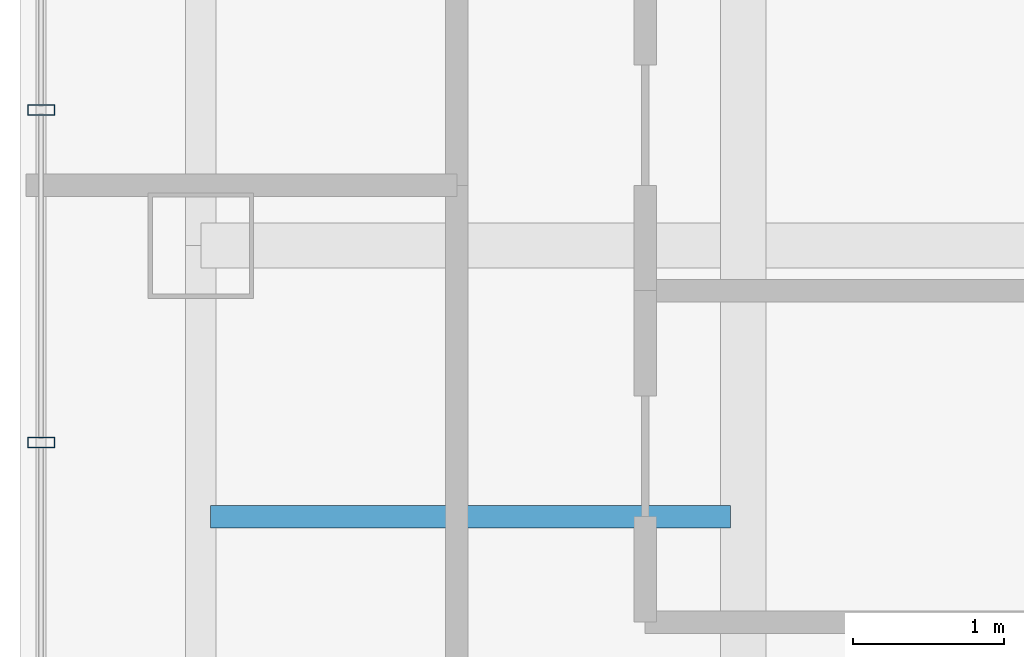
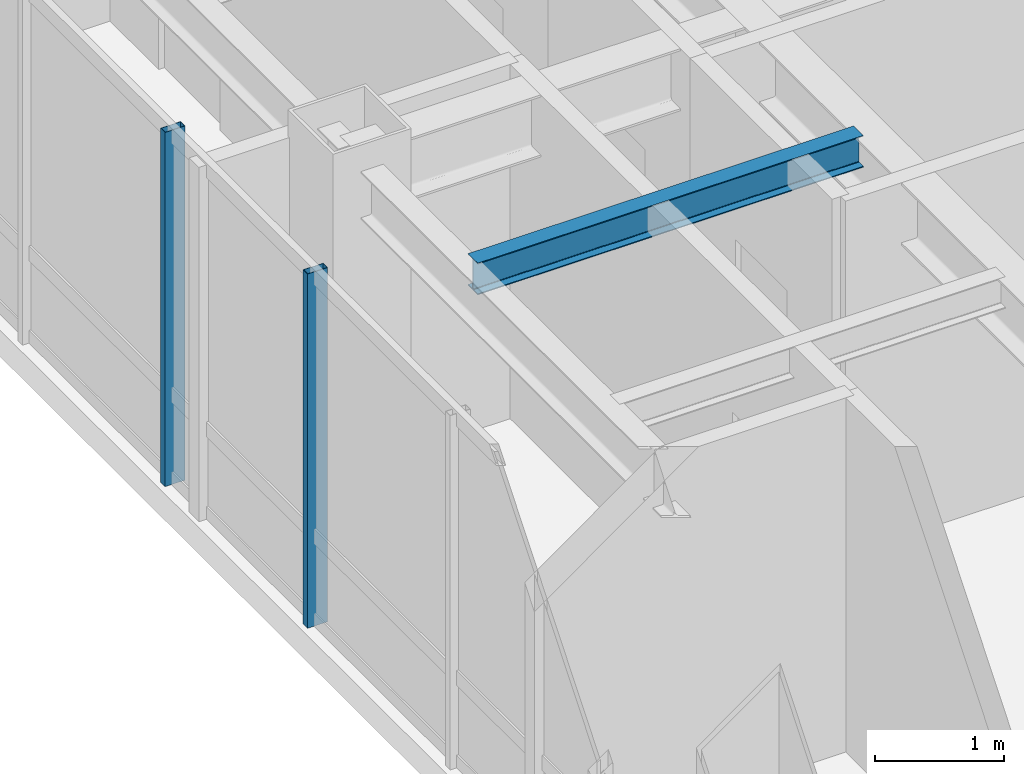
# One storey, part 6 of 24: 2 members, 1 beam, 1 element without a shape of its own.
"""IFC4 building model written with IfcOpenShell, lengths in metres."""

import ifcopenshell
import ifcopenshell.guid

model = None  # the IFC model being written
_history = None  # IfcOwnerHistory: only IFC2X3 demands one
_inside = {}  # id of a spatial element -> (the spatial element, [elements in it])
_under = {}  # id of a project, library or spatial element -> (it, [spatial elements below it])
_declared = {}  # id of a project -> (the project, [libraries it declares])
_typed = {}  # id of a type object -> (the type object, [elements of that type])
_made_of = {}  # id of a material, layer set ... -> (it, [elements and type objects made of it])


def new_model(schema):
    """Start an empty IFC model of exactly this schema.

    Asked for "IFC4X3", IfcOpenShell would pick the latest addendum, in which some entities
    have other attributes; the version numbers below select the first issue.
    IFC2X3 requires an IfcOwnerHistory on every rooted entity: one is made here for all.
    """
    global model, _history
    if schema == "IFC4X3":
        model = ifcopenshell.file(schema_version=(4, 3, 0, 0))
    else:
        model = ifcopenshell.file(schema=schema)
    _inside.clear()
    _under.clear()
    _declared.clear()
    _typed.clear()
    _made_of.clear()
    _history = None
    if model.schema == "IFC2X3":
        org = make("IfcOrganization", Name="unknown")
        user = make(
            "IfcPersonAndOrganization",
            ThePerson=make("IfcPerson", FamilyName="unknown"),
            TheOrganization=org,
        )
        app = make(
            "IfcApplication",
            ApplicationDeveloper=org,
            Version="unknown",
            ApplicationFullName="unknown",
            ApplicationIdentifier="unknown",
        )
        _history = make(
            "IfcOwnerHistory",
            OwningUser=user,
            OwningApplication=app,
            ChangeAction="ADDED",
            CreationDate=0,
        )
    return model


def make(cls, **values):
    """One entity of the class cls with the attributes given. An attribute that is None is left unset."""
    return model.create_entity(
        cls, **{name: value for name, value in values.items() if value is not None}
    )


def rooted(cls, **values):
    """An entity with a GlobalId (a new one), such as an element, a storey or a relation."""
    return make(cls, GlobalId=ifcopenshell.guid.new(), OwnerHistory=_history, **values)


def si_unit(unit_type, name, prefix=None):
    """IfcSIUnit, for example si_unit("LENGTHUNIT", "METRE", prefix="MILLI")."""
    return make("IfcSIUnit", UnitType=unit_type, Prefix=prefix, Name=name)


def assignment(units):
    """IfcUnitAssignment: the units of a project."""
    return None if units is None else make("IfcUnitAssignment", Units=units)


def point(xyz):
    """IfcCartesianPoint."""
    return None if xyz is None else make("IfcCartesianPoint", Coordinates=xyz)


def direction(xyz):
    """IfcDirection."""
    return None if xyz is None else make("IfcDirection", DirectionRatios=xyz)


def frame(location, z_axis=None, x_axis=None):
    """IfcAxis2Placement3D, a coordinate frame: its origin and axes. An axis left out is left unset."""
    return make(
        "IfcAxis2Placement3D",
        Location=point(location),
        Axis=direction(z_axis),
        RefDirection=direction(x_axis),
    )


def frame_2d(location, x_axis=None):
    """IfcAxis2Placement2D, a coordinate frame in the plane: its origin and x axis."""
    return make(
        "IfcAxis2Placement2D", Location=point(location), RefDirection=direction(x_axis)
    )


def origin():
    """The frame at (0, 0, 0) with its axes left unset."""
    return frame((0.0, 0.0, 0.0))


def origin_2d():
    """The frame at (0, 0) in the plane with its x axis left unset."""
    return frame_2d((0.0, 0.0))


def place(relative_to, where):
    """IfcLocalPlacement: puts the frame where relative to a parent placement (None: the world)."""
    return make(
        "IfcLocalPlacement", PlacementRelTo=relative_to, RelativePlacement=where
    )


def context(
    kind, dimensions, precision=None, world=None, true_north=None, identifier=None
):
    """IfcGeometricRepresentationContext, for example the 3D "Model" context."""
    return make(
        "IfcGeometricRepresentationContext",
        ContextIdentifier=identifier,
        ContextType=kind,
        CoordinateSpaceDimension=dimensions,
        Precision=precision,
        WorldCoordinateSystem=world,
        TrueNorth=true_north,
    )


def subcontext(parent, identifier, kind, view, scale=None):
    """IfcGeometricRepresentationSubContext, for example "Body" below "Model"."""
    return make(
        "IfcGeometricRepresentationSubContext",
        ContextIdentifier=identifier,
        ContextType=kind,
        ParentContext=parent,
        TargetScale=scale,
        TargetView=view,
    )


def project(units=None, contexts=None):
    """IfcProject with its units and contexts."""
    return rooted(
        "IfcProject",
        Name="project",
        RepresentationContexts=contexts,
        UnitsInContext=assignment(units),
    )


def spatial(cls, under=None, at=None, **own):
    """A site, building, storey or space (cls), placed at a placement, below another one or the project."""
    s = rooted(cls, ObjectPlacement=at, **own)
    if under is not None:
        _under.setdefault(under.id(), (under, []))[1].append(s)
    return s


def profile(cls, at=None, kind="AREA", **sizes):
    """A parametric profile (cls). Its sizes go by their IFC names, for example OverallWidth=200.0."""
    return make(cls, ProfileType=kind, Position=at, **sizes)


def hollow_rectangle(**sizes):
    """IfcRectangleHollowProfileDef."""
    return profile("IfcRectangleHollowProfileDef", **sizes)


def i_section(**sizes):
    """IfcIShapeProfileDef."""
    return profile("IfcIShapeProfileDef", **sizes)


def extrude(swept, where, along, depth):
    """IfcExtrudedAreaSolid: the profile swept, set in the frame where, extruded along a direction by depth."""
    return make(
        "IfcExtrudedAreaSolid",
        SweptArea=swept,
        Position=where,
        ExtrudedDirection=direction(along),
        Depth=depth,
    )


def shape(context_of_items, identifier, shape_type, items):
    """IfcShapeRepresentation: the items that make up one representation, for example the "Body"."""
    return make(
        "IfcShapeRepresentation",
        ContextOfItems=context_of_items,
        RepresentationIdentifier=identifier,
        RepresentationType=shape_type,
        Items=items,
    )


def material(Name=None, Category=None):
    """IfcMaterial."""
    return make("IfcMaterial", Name=Name, Category=Category)


def layer(
    of_material, thickness, ventilated=None, Name=None, Category=None, Priority=None
):
    """IfcMaterialLayer: one layer of a wall or slab, of a material (None: an air gap)."""
    return make(
        "IfcMaterialLayer",
        Material=of_material,
        LayerThickness=thickness,
        IsVentilated=ventilated,
        Name=Name,
        Category=Category,
        Priority=Priority,
    )


def layer_set(layers, Name=None):
    """IfcMaterialLayerSet."""
    return make("IfcMaterialLayerSet", MaterialLayers=layers, LayerSetName=Name)


def material_profile(
    of_material, cross_section, Name=None, Category=None, Priority=None
):
    """IfcMaterialProfile: a cross section and its material."""
    return make(
        "IfcMaterialProfile",
        Name=Name,
        Material=of_material,
        Profile=cross_section,
        Priority=Priority,
        Category=Category,
    )


def profile_set(profiles, Name=None, composite=None):
    """IfcMaterialProfileSet."""
    return make(
        "IfcMaterialProfileSet",
        Name=Name,
        MaterialProfiles=profiles,
        CompositeProfile=composite,
    )


def made_of(thing, what):
    """Note that an element or type object is made of a material, layer set ...; save() writes the relation."""
    if what is not None:
        _made_of.setdefault(what.id(), (what, []))[1].append(thing)
    return thing


def type_object(cls, material=None, **own):
    """A type object (cls), such as IfcWallType, which elements share."""
    return made_of(rooted(cls, **own), material)


def element(
    cls,
    number,
    at=None,
    inside=None,
    cuts=None,
    type_object=None,
    material=None,
    context=None,
    identifier="Body",
    shape_type=None,
    held_by="IfcProductDefinitionShape",
    body=None,
    shapes=None,
    **own,
):
    """One element of the class cls, such as IfcWall. Its Tag is "e" and its number.

    at: its placement. inside: the storey or other place that contains it. cuts: it is an
    opening in that element (IfcRelVoidsElement). A single representation is given by context,
    identifier, shape_type and body (its items); several are given by shapes. held_by: the class
    of the entity that holds the representations. save() writes the other relations.
    """
    e = rooted(cls, Tag="e%d" % number, ObjectPlacement=at, **own)
    if body is not None:
        shapes = [shape(context, identifier, shape_type, body)]
    if shapes is not None:
        e.Representation = make(held_by, Representations=shapes)
    if inside is not None:
        _inside.setdefault(inside.id(), (inside, []))[1].append(e)
    if cuts is not None:
        rooted(
            "IfcRelVoidsElement", RelatingBuildingElement=cuts, RelatedOpeningElement=e
        )
    if type_object is not None:
        _typed.setdefault(type_object.id(), (type_object, []))[1].append(e)
    return made_of(e, material)


def aggregate(whole, parts):
    """IfcRelAggregates: a whole, such as a stair, and the parts it consists of."""
    return rooted("IfcRelAggregates", RelatingObject=whole, RelatedObjects=parts)


def save(model, path):
    """Write the relations noted so far, then the file.

    IfcRelAggregates (storeys below a building ...), IfcRelContainedInSpatialStructure (elements
    in a storey), IfcRelDefinesByType, IfcRelAssociatesMaterial and IfcRelDeclares: one each for
    every whole, place, type object, material and project.
    """
    for whole, parts in _under.values():
        aggregate(whole, parts)
    for where, things in _inside.values():
        rooted(
            "IfcRelContainedInSpatialStructure",
            RelatedElements=things,
            RelatingStructure=where,
        )
    for kind, things in _typed.values():
        rooted("IfcRelDefinesByType", RelatedObjects=things, RelatingType=kind)
    for what, things in _made_of.values():
        rooted("IfcRelAssociatesMaterial", RelatedObjects=things, RelatingMaterial=what)
    for by, libraries in _declared.values():
        rooted("IfcRelDeclares", RelatingContext=by, RelatedDefinitions=libraries)
    model.write(path)


model = new_model("IFC4")

# Units and contexts
model_context = context("Model", 3, precision=1e-05, world=origin(), true_north=direction((0.0, 1.0)))
body_context = subcontext(model_context, "Body", "Model", "MODEL_VIEW")
ifc_project = project(units=[si_unit("LENGTHUNIT", "METRE"), si_unit("AREAUNIT", "SQUARE_METRE"), si_unit("VOLUMEUNIT", "CUBIC_METRE"), si_unit("PLANEANGLEUNIT", "RADIAN"), si_unit("MASSUNIT", "GRAM", prefix="KILO")], contexts=[model_context])

# Site, building, storey
site_placement = place(None, origin())
site = spatial("IfcSite", under=ifc_project, at=site_placement, CompositionType="ELEMENT")
building_placement = place(site_placement, origin())
building = spatial("IfcBuilding", under=site, at=building_placement, Name="Hatsunagi Terrace Concourse", CompositionType="ELEMENT")
storey_placement = place(building_placement, frame((0.0, 0.0, 213.14990234375)))
storey = spatial("IfcBuildingStorey", under=building, at=storey_placement, Name="L56", CompositionType="ELEMENT", Elevation=213.14990234375)

# Curtain wall, members
ifc_material_1 = material(Name="Anodised Aluminium Alloy 6063-T5", Category="aluminium")
ifc_layer = layer(ifc_material_1, 0.199951171875)
ifc_layer_set = layer_set([ifc_layer], Name="OfficeZone2_CW04")
curtain_wall_type = type_object("IfcCurtainWallType", Name="OfficeZone2_CW04", PredefinedType="NOTDEFINED", material=ifc_layer_set)
curtain_wall_placement = place(storey_placement, origin())
curtain_wall = element("IfcCurtainWall", 1, at=curtain_wall_placement, inside=storey, type_object=curtain_wall_type, Name="Unitised Curtain Wall CW-04 CW-L56-08", PredefinedType="NOTDEFINED")
ifc_material_2 = material(Name="Anodised Aluminium Alloy 6063-T5", Category="aluminium")
ifc_material_profile_1 = material_profile(ifc_material_2, hollow_rectangle(XDim=0.070068359375, YDim=0.179931640625, WallThickness=0.00390625, at=origin_2d()), Name="ALU-MUL-180x70x4")
ifc_profile_set_1 = profile_set([ifc_material_profile_1], Name="Anodised Aluminium Alloy 6063-T5")
member_type = type_object("IfcMemberType", Name="CurtainWallMullion_180x70", PredefinedType="MULLION", material=ifc_profile_set_1)
member_1_placement = place(storey_placement, frame((18.139892578125, 34.69189453125, 0.0), z_axis=(0.0, 0.0, 1.0), x_axis=(0.0, 1.0, 0.0)))
member_1 = element("IfcMember", 2, at=member_1_placement, type_object=member_type, Name="Curtain Wall Mullion MUL-02", PredefinedType="MULLION", context=body_context, shape_type="SweptSolid", body=[
    extrude(hollow_rectangle(XDim=0.070068359375, YDim=0.179931640625, WallThickness=0.00390625, at=origin_2d()), origin(), (0.0, 0.0, 1.0), 3.35009765625),
])
member_2_placement = place(storey_placement, frame((18.139892578125, 36.89990234375, 0.0), z_axis=(0.0, 0.0, 1.0), x_axis=(0.0, 1.0, 0.0)))
member_2 = element("IfcMember", 3, at=member_2_placement, type_object=member_type, Name="Curtain Wall Mullion MUL-02", PredefinedType="MULLION", context=body_context, shape_type="SweptSolid", body=[
    extrude(hollow_rectangle(XDim=0.070068359375, YDim=0.179931640625, WallThickness=0.00390625, at=origin_2d()), origin(), (0.0, 0.0, 1.0), 3.35009765625),
])
aggregate(curtain_wall, [member_1, member_2])

# Beam
ifc_material_3 = material(Name="Steel SN490B", Category="steel")
ifc_material_profile_2 = material_profile(ifc_material_3, i_section(OverallWidth=0.14990234375, OverallDepth=0.300048828125, WebThickness=0.006591796875, FlangeThickness=0.009033203125, FilletRadius=0.010986328125, at=origin_2d()), Name="H-300x150x6.5x9")
ifc_profile_set_2 = profile_set([ifc_material_profile_2], Name="Steel SN490B")
beam_type = type_object("IfcBeamType", Name="OfficeJoist_H_300x150", PredefinedType="JOIST", material=ifc_profile_set_2)
beam_placement = place(storey_placement, frame((19.264892578125, 34.199951171875, 3.2001953125), z_axis=(1.0, 0.0, 0.0), x_axis=(0.0, 1.0, 0.0)))
element("IfcBeam", 4, at=beam_placement, inside=storey, type_object=beam_type, Name="Beam J-03 J-L56-W-19-342", PredefinedType="JOIST", context=body_context, shape_type="SweptSolid", body=[
    extrude(i_section(OverallWidth=0.14990234375, OverallDepth=0.300048828125, WebThickness=0.006591796875, FlangeThickness=0.009033203125, FilletRadius=0.010986328125, at=origin_2d()), origin(), (0.0, 0.0, 1.0), 3.4501953125),
])

save(model, "model.ifc")
